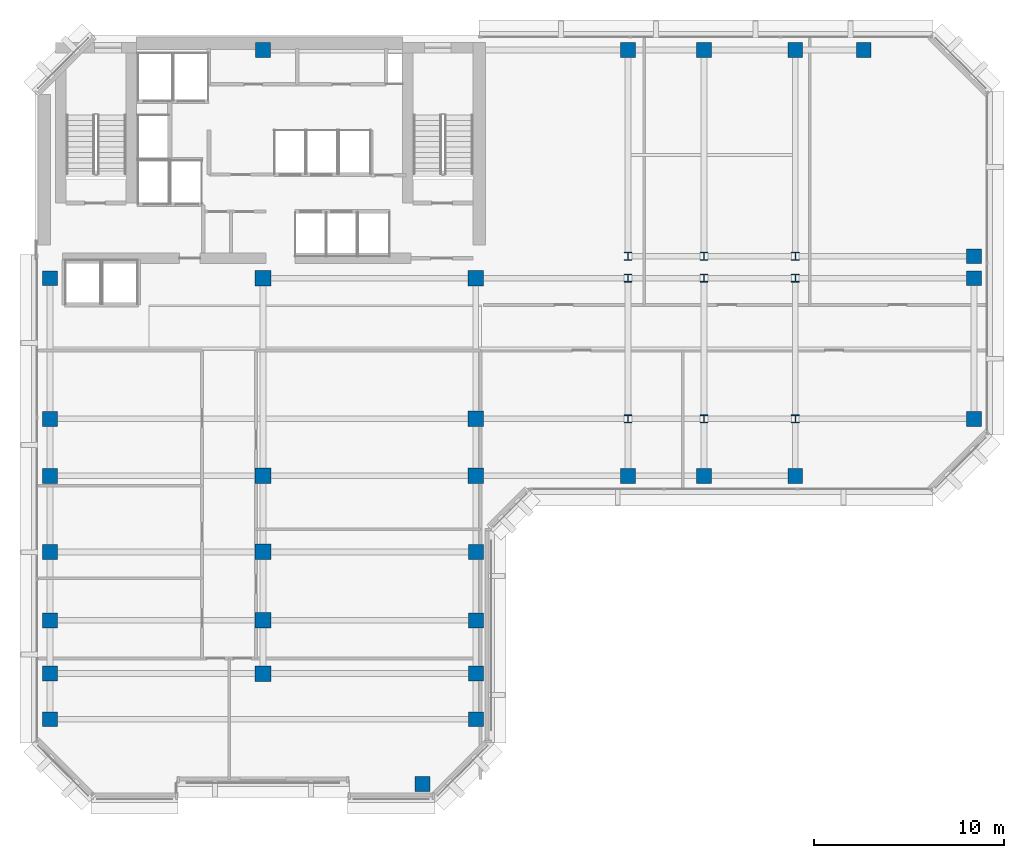
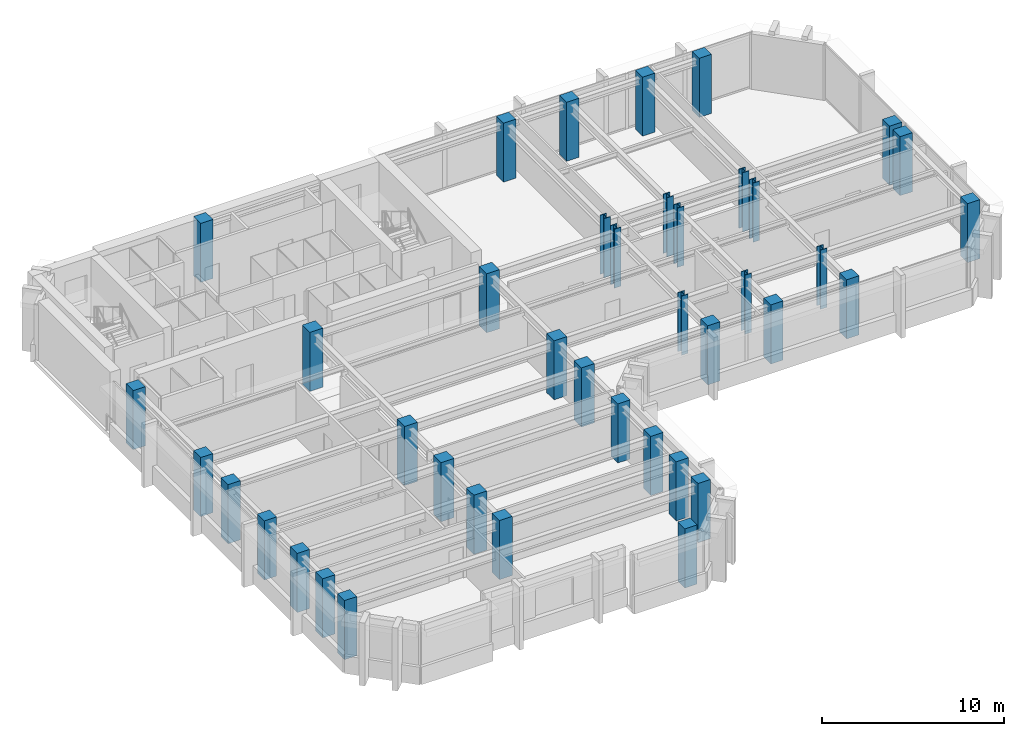
# One storey, part 1 of 12: 40 columns.
"""IFC4 building model written with IfcOpenShell, lengths in metres."""

from ifc_helpers import new_model, si_unit, direction, frame, origin, origin_2d, place, context, subcontext, project, spatial, rectangle, i_section, extrude, material, material_profile, profile_set, type_object, element, save


model = new_model("IFC4")

# Units and contexts
model_context = context("Model", 3, precision=1e-05, world=origin(), true_north=direction((0.0, 1.0)))
body_context = subcontext(model_context, "Body", "Model", "MODEL_VIEW")
ifc_project = project(units=[si_unit("LENGTHUNIT", "METRE"), si_unit("AREAUNIT", "SQUARE_METRE"), si_unit("VOLUMEUNIT", "CUBIC_METRE"), si_unit("PLANEANGLEUNIT", "RADIAN"), si_unit("MASSUNIT", "GRAM", prefix="KILO")], contexts=[model_context])

# Site, building, storey
site_placement = place(None, origin())
site = spatial("IfcSite", under=ifc_project, at=site_placement, CompositionType="ELEMENT")
building_placement = place(site_placement, origin())
building = spatial("IfcBuilding", under=site, at=building_placement, Name="Kefirva Bronze Tower", CompositionType="ELEMENT")
storey_placement = place(building_placement, frame((0.0, 0.0, 199.320068359375)))
storey = spatial("IfcBuildingStorey", under=building, at=storey_placement, Name="L48", CompositionType="ELEMENT", Elevation=199.320068359375)

# Columns
ifc_material_1 = material(Name="Concrete C50/60", Category="concrete")
ifc_material_profile_1 = material_profile(ifc_material_1, rectangle(XDim=0.780029296875, YDim=0.780029296875, at=origin_2d()), Name="RC 780x780")
ifc_profile_set_1 = profile_set([ifc_material_profile_1], Name="Concrete C50/60")
column_type_1 = type_object("IfcColumnType", Name="RC Column 780x780 Ext", PredefinedType="COLUMN", material=ifc_profile_set_1)
for number, where, z_axis, x_axis, name in (
    (1, (0.800048828125, 10.0, 0.0), (0.0, 0.0, 1.0), (1.0, 0.0, 0.0), "L48 Column C008_100"),
    (2, (0.800048828125, 12.39990234375, 0.0), (0.0, 0.0, 1.0), (1.0, 0.0, 0.0), "L48 Column C008_124"),
    (3, (0.800048828125, 15.199951171875, 0.0), (0.0, 0.0, 1.0), (1.0, 0.0, 0.0), "L48 Column C008_152"),
    (4, (0.800048828125, 18.800048828125, 0.0), (0.0, 0.0, 1.0), (1.0, 0.0, 0.0), "L48 Column C008_188"),
    (5, (0.800048828125, 22.800048828125, 0.0), (0.0, 0.0, 1.0), (1.0, 0.0, 0.0), "L48 Column C008_228"),
    (6, (0.800048828125, 25.800048828125, 0.0), (0.0, 0.0, 1.0), (1.0, 0.0, 0.0), "L48 Column C008_258"),
    (7, (0.800048828125, 33.199951171875, 0.0), (0.0, 0.0, 1.0), (1.0, 0.0, 0.0), "L48 Column C008_332"),
    (8, (12.0, 45.199951171875, 0.0), (0.0, 0.0, 1.0), (1.0, 0.0, 0.0), "L48 Column C120_452"),
    (9, (20.39990234375, 6.60009765625, 0.0), (0.0, 0.0, 1.0), (1.0, 0.0, 0.0), "L48 Column C204_066"),
    (10, (23.199951171875, 10.0, 0.0), (0.0, 0.0, 1.0), (1.0, 0.0, 0.0), "L48 Column C232_100"),
    (11, (23.199951171875, 12.39990234375, 0.0), (0.0, 0.0, 1.0), (1.0, 0.0, 0.0), "L48 Column C232_124"),
    (12, (23.199951171875, 15.199951171875, 0.0), (0.0, 0.0, 1.0), (1.0, 0.0, 0.0), "L48 Column C232_152"),
    (13, (23.199951171875, 18.800048828125, 0.0), (0.0, 0.0, 1.0), (1.0, 0.0, 0.0), "L48 Column C232_188"),
    (14, (31.199951171875, 22.800048828125, 0.0), (0.0, 0.0, 1.0), (1.0, 0.0, 0.0), "L48 Column C312_228"),
    (15, (31.199951171875, 45.199951171875, 0.0), (0.0, 0.0, 1.0), (1.0, 0.0, 0.0), "L48 Column C312_452"),
    (16, (35.199951171875, 22.800048828125, 0.0), (0.0, 0.0, 1.0), (1.0, 0.0, 0.0), "L48 Column C352_228"),
    (17, (35.199951171875, 45.199951171875, 0.0), (0.0, 0.0, 1.0), (1.0, 0.0, 0.0), "L48 Column C352_452"),
    (18, (40.0, 22.800048828125, 0.0), (0.0, 0.0, 1.0), (1.0, 0.0, 0.0), "L48 Column C400_228"),
    (19, (40.0, 45.199951171875, 0.0), (0.0, 0.0, 1.0), (1.0, 0.0, 0.0), "L48 Column C400_452"),
    (20, (43.60009765625, 45.199951171875, 0.0), (0.0, 0.0, 1.0), (1.0, 0.0, 0.0), "L48 Column C436_452"),
    (21, (49.39990234375, 25.800048828125, 0.0), (0.0, 0.0, 1.0), (1.0, 0.0, 0.0), "L48 Column C494_258"),
    (22, (49.39990234375, 33.199951171875, 0.0), (0.0, 0.0, 1.0), (1.0, 0.0, 0.0), "L48 Column C494_332"),
    (23, (49.39990234375, 34.35009765625, 0.0), (0.0, 0.0, 1.0), (1.0, 0.0, 0.0), "L48 Column C494_344"),
):
    element("IfcColumn", number, at=place(storey_placement, frame(where, z_axis=z_axis, x_axis=x_axis)), inside=storey, type_object=column_type_1, Name=name, PredefinedType="COLUMN", context=body_context, shape_type="SweptSolid", body=[
        extrude(rectangle(XDim=0.780029296875, YDim=0.780029296875, at=origin_2d()), origin(), (0.0, 0.0, 1.0), 3.9599609375),
    ])
ifc_material_profile_2 = material_profile(ifc_material_1, rectangle(XDim=0.820068359375, YDim=0.820068359375, at=origin_2d()), Name="RC 820x820")
ifc_profile_set_2 = profile_set([ifc_material_profile_2], Name="Concrete C50/60")
column_type_2 = type_object("IfcColumnType", Name="RC Column 820x820 Int", PredefinedType="COLUMN", material=ifc_profile_set_2)
for number, where, z_axis, x_axis, name in (
    (24, (12.0, 12.39990234375, 0.0), (0.0, 0.0, 1.0), (1.0, 0.0, 0.0), "L48 Column C120_124"),
    (25, (12.0, 15.199951171875, 0.0), (0.0, 0.0, 1.0), (1.0, 0.0, 0.0), "L48 Column C120_152"),
    (26, (12.0, 18.800048828125, 0.0), (0.0, 0.0, 1.0), (1.0, 0.0, 0.0), "L48 Column C120_188"),
    (27, (12.0, 22.800048828125, 0.0), (0.0, 0.0, 1.0), (1.0, 0.0, 0.0), "L48 Column C120_228"),
    (28, (12.0, 33.199951171875, 0.0), (0.0, 0.0, 1.0), (1.0, 0.0, 0.0), "L48 Column C120_332"),
    (29, (23.199951171875, 22.800048828125, 0.0), (0.0, 0.0, 1.0), (1.0, 0.0, 0.0), "L48 Column C232_228"),
    (30, (23.199951171875, 25.800048828125, 0.0), (0.0, 0.0, 1.0), (1.0, 0.0, 0.0), "L48 Column C232_258"),
    (31, (23.199951171875, 33.199951171875, 0.0), (0.0, 0.0, 1.0), (1.0, 0.0, 0.0), "L48 Column C232_332"),
):
    element("IfcColumn", number, at=place(storey_placement, frame(where, z_axis=z_axis, x_axis=x_axis)), inside=storey, type_object=column_type_2, Name=name, PredefinedType="COLUMN", context=body_context, shape_type="SweptSolid", body=[
        extrude(rectangle(XDim=0.820068359375, YDim=0.820068359375, at=origin_2d()), origin(), (0.0, 0.0, 1.0), 3.9599609375),
    ])
ifc_material_2 = material(Name="Steel S460", Category="steel")
ifc_material_profile_3 = material_profile(ifc_material_2, i_section(OverallWidth=0.412109375, OverallDepth=0.43505859375, WebThickness=0.027099609375, FlangeThickness=0.04296875, at=origin_2d()), Name="HD 400x463")
ifc_profile_set_3 = profile_set([ifc_material_profile_3], Name="Steel S460")
column_type_3 = type_object("IfcColumnType", Name="Steel Column HD 400x463", PredefinedType="COLUMN", material=ifc_profile_set_3)
for number, where, z_axis, x_axis, name in (
    (32, (31.199951171875, 25.800048828125, 0.0), (0.0, 0.0, 1.0), (1.0, 0.0, 0.0), "L48 Column C312_258"),
    (33, (31.199951171875, 33.199951171875, 0.0), (0.0, 0.0, 1.0), (1.0, 0.0, 0.0), "L48 Column C312_332"),
    (34, (31.199951171875, 34.35009765625, 0.0), (0.0, 0.0, 1.0), (1.0, 0.0, 0.0), "L48 Column C312_344"),
    (35, (35.199951171875, 25.800048828125, 0.0), (0.0, 0.0, 1.0), (1.0, 0.0, 0.0), "L48 Column C352_258"),
    (36, (35.199951171875, 33.199951171875, 0.0), (0.0, 0.0, 1.0), (1.0, 0.0, 0.0), "L48 Column C352_332"),
    (37, (35.199951171875, 34.35009765625, 0.0), (0.0, 0.0, 1.0), (1.0, 0.0, 0.0), "L48 Column C352_344"),
    (38, (40.0, 25.800048828125, 0.0), (0.0, 0.0, 1.0), (1.0, 0.0, 0.0), "L48 Column C400_258"),
    (39, (40.0, 33.199951171875, 0.0), (0.0, 0.0, 1.0), (1.0, 0.0, 0.0), "L48 Column C400_332"),
    (40, (40.0, 34.35009765625, 0.0), (0.0, 0.0, 1.0), (1.0, 0.0, 0.0), "L48 Column C400_344"),
):
    element("IfcColumn", number, at=place(storey_placement, frame(where, z_axis=z_axis, x_axis=x_axis)), inside=storey, type_object=column_type_3, Name=name, PredefinedType="COLUMN", context=body_context, shape_type="SweptSolid", body=[
        extrude(i_section(OverallWidth=0.412109375, OverallDepth=0.43505859375, WebThickness=0.027099609375, FlangeThickness=0.04296875, at=origin_2d()), origin(), (0.0, 0.0, 1.0), 3.9599609375),
    ])

save(model, "model.ifc")
